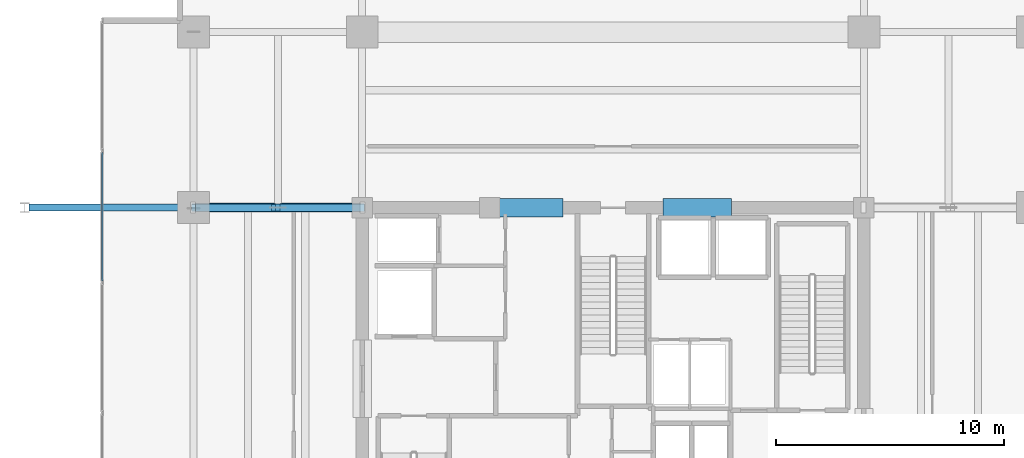
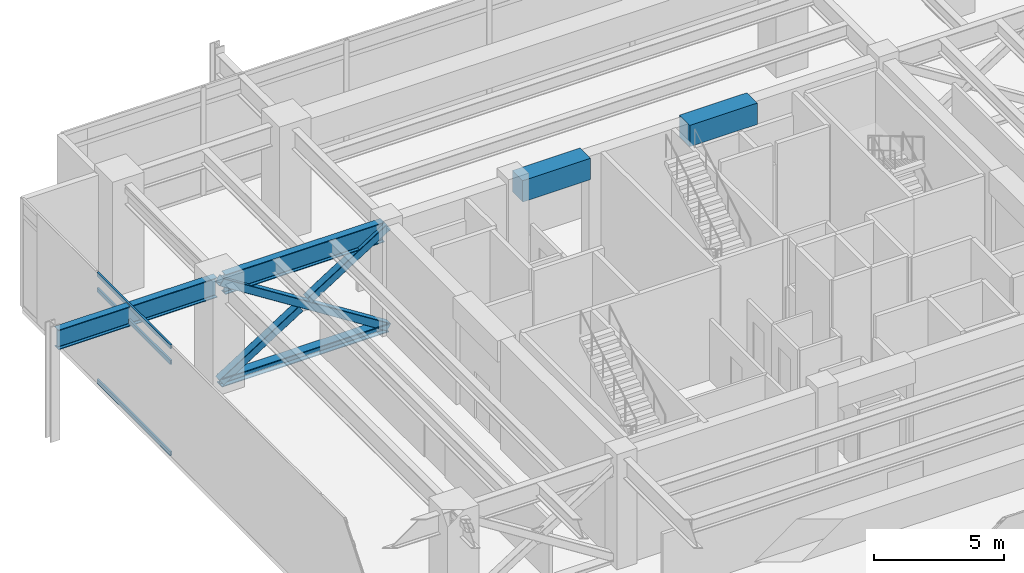
# One storey, part 7 of 21: 7 members, 4 beams, 1 element without a shape of its own.
"""IFC4 building model written with IfcOpenShell, lengths in metres."""

from ifc_helpers import new_model, si_unit, direction, frame, origin, origin_2d, place, context, subcontext, project, spatial, rectangle, hollow_rectangle, i_section, extrude, material, material_profile, profile_set, type_object, element, aggregate, save


model = new_model("IFC4")

# Units and contexts
model_context = context("Model", 3, precision=1e-05, world=origin(), true_north=direction((0.0, 1.0)))
body_context = subcontext(model_context, "Body", "Model", "MODEL_VIEW")
ifc_project = project(units=[si_unit("LENGTHUNIT", "METRE"), si_unit("AREAUNIT", "SQUARE_METRE"), si_unit("VOLUMEUNIT", "CUBIC_METRE"), si_unit("PLANEANGLEUNIT", "RADIAN"), si_unit("MASSUNIT", "GRAM", prefix="KILO")], contexts=[model_context])

# Site, building, storey
site_placement = place(None, origin())
site = spatial("IfcSite", under=ifc_project, at=site_placement, CompositionType="ELEMENT")
building_placement = place(site_placement, origin())
building = spatial("IfcBuilding", under=site, at=building_placement, Name="Kovane Verandah Tower", CompositionType="ELEMENT")
storey_placement = place(building_placement, frame((0.0, 0.0, 189.39990234375)))
storey = spatial("IfcBuildingStorey", under=building, at=storey_placement, Name="L44", CompositionType="ELEMENT", Elevation=189.39990234375)

# Beams
ifc_material_1 = material(Name="Concrete C60/75", Category="concrete")
ifc_material_profile_1 = material_profile(ifc_material_1, rectangle(XDim=0.800048828125, YDim=1.0, at=origin_2d()), Name="RCB800x1000")
ifc_profile_set_1 = profile_set([ifc_material_profile_1], Name="Concrete C60/75")
beam_type_1 = type_object("IfcBeamType", Name="BM-LINTEL-800x1000", PredefinedType="LINTEL", material=ifc_profile_set_1)
for number, where, z_axis, x_axis, name in (
    (1, (34.800048828125, 36.5, 4.60009765625), (1.0, 0.0, 0.0), (0.0, 1.0, 0.0), "L44 Core Coupling Lintel CL-N1"),
    (2, (42.199951171875, 36.5, 4.60009765625), (1.0, 0.0, 0.0), (0.0, 1.0, 0.0), "L44 Core Coupling Lintel CL-N2"),
):
    element("IfcBeam", number, at=place(storey_placement, frame(where, z_axis=z_axis, x_axis=x_axis)), inside=storey, type_object=beam_type_1, Name=name, PredefinedType="LINTEL", context=body_context, shape_type="SweptSolid", body=[
        extrude(rectangle(XDim=0.800048828125, YDim=1.0, at=origin_2d()), origin(), (0.0, 0.0, 1.0), 3.0),
    ])
ifc_material_2 = material(Name="Steel S460", Category="steel")
ifc_material_profile_2 = material_profile(ifc_material_2, i_section(OverallWidth=0.3076171875, OverallDepth=0.926513671875, WebThickness=0.01953125, FlangeThickness=0.031982421875, FilletRadius=0.01904296875, at=origin_2d()), Name="UB914x305x289")
ifc_profile_set_2 = profile_set([ifc_material_profile_2], Name="Steel S460")
beam_type_2 = type_object("IfcBeamType", Name="BM-UB914x289", PredefinedType="BEAM", material=ifc_profile_set_2)
for number, where, z_axis, x_axis, name in (
    (3, (28.820068359375, 36.5, 4.63671875), (-1.0, 0.0, 0.0), (0.0, -1.0, 0.0), "L44 Primary Tower Girder G-W2"),
    (4, (21.419921875, 36.5, 4.63671875), (-1.0, 0.0, 0.0), (0.0, -1.0, 0.0), "L44 Primary Tower Girder G-VW2"),
):
    element("IfcBeam", number, at=place(storey_placement, frame(where, z_axis=z_axis, x_axis=x_axis)), inside=storey, type_object=beam_type_2, Name=name, PredefinedType="BEAM", context=body_context, shape_type="SweptSolid", body=[
        extrude(i_section(OverallWidth=0.3076171875, OverallDepth=0.926513671875, WebThickness=0.01953125, FlangeThickness=0.031982421875, FilletRadius=0.01904296875, at=origin_2d()), origin(), (0.0, 0.0, 1.0), 7.0400390625),
    ])

# Curtain wall, members
ifc_material_3 = material(Name="Champagne Anodised Aluminium Frame with Low-E Clear Laminated Glass", Category="aluminium")
curtain_wall_type = type_object("IfcCurtainWallType", Name="CW-SYS-04-WAIST", PredefinedType="NOTDEFINED", material=ifc_material_3)
curtain_wall_placement = place(storey_placement, origin())
curtain_wall = element("IfcCurtainWall", 5, at=curtain_wall_placement, inside=storey, type_object=curtain_wall_type, Name="L44 W Unitised Curtain Wall", PredefinedType="NOTDEFINED")
ifc_material_4 = material(Name="Champagne Anodised Aluminium 6063-T6", Category="aluminium")
ifc_material_profile_3 = material_profile(ifc_material_4, hollow_rectangle(XDim=0.0849609375, YDim=0.18994140625, WallThickness=0.00390625, at=origin_2d()), Name="AL85x190x4")
ifc_profile_set_3 = profile_set([ifc_material_profile_3], Name="Champagne Anodised Aluminium 6063-T6")
member_type_1 = type_object("IfcMemberType", Name="CW-TRN-85x190", PredefinedType="USERDEFINED", material=ifc_profile_set_3)
member_1_placement = place(storey_placement, frame((17.60009765625, 38.916748046875, 0.050048828125), z_axis=(0.0, -1.0, 0.0), x_axis=(1.0, 0.0, 0.0)))
member_1 = element("IfcMember", 6, at=member_1_placement, type_object=member_type_1, Name="L44 W Unitised Curtain Wall Transom TB Bay 2", ObjectType="TRANSOM", PredefinedType="USERDEFINED", context=body_context, shape_type="SweptSolid", body=[
    extrude(hollow_rectangle(XDim=0.0849609375, YDim=0.18994140625, WallThickness=0.00390625, at=origin_2d()), origin(), (0.0, 0.0, 1.0), 5.633544921875),
])
member_2_placement = place(storey_placement, frame((17.60009765625, 38.916748046875, 4.320068359375), z_axis=(0.0, -1.0, 0.0), x_axis=(1.0, 0.0, 0.0)))
member_2 = element("IfcMember", 7, at=member_2_placement, type_object=member_type_1, Name="L44 W Unitised Curtain Wall Transom TM Bay 2", ObjectType="TRANSOM", PredefinedType="USERDEFINED", context=body_context, shape_type="SweptSolid", body=[
    extrude(hollow_rectangle(XDim=0.0849609375, YDim=0.18994140625, WallThickness=0.00390625, at=origin_2d()), origin(), (0.0, 0.0, 1.0), 5.633544921875),
])
member_3_placement = place(storey_placement, frame((17.60009765625, 38.916748046875, 5.050048828125), z_axis=(0.0, -1.0, 0.0), x_axis=(1.0, 0.0, 0.0)))
member_3 = element("IfcMember", 8, at=member_3_placement, type_object=member_type_1, Name="L44 W Unitised Curtain Wall Transom TT Bay 2", ObjectType="TRANSOM", PredefinedType="USERDEFINED", context=body_context, shape_type="SweptSolid", body=[
    extrude(hollow_rectangle(XDim=0.0849609375, YDim=0.18994140625, WallThickness=0.00390625, at=origin_2d()), origin(), (0.0, 0.0, 1.0), 5.633544921875),
])
aggregate(curtain_wall, [member_1, member_2, member_3])

# Members
ifc_material_profile_4 = material_profile(ifc_material_2, hollow_rectangle(XDim=0.35009765625, YDim=0.35009765625, WallThickness=0.01611328125, InnerFilletRadius=0.01611328125, OuterFilletRadius=0.031982421875, at=origin_2d()), Name="SHS350x350x16")
ifc_profile_set_4 = profile_set([ifc_material_profile_4], Name="Steel S460")
member_type_2 = type_object("IfcMemberType", Name="MEM-BR-SHS350", PredefinedType="BRACE", material=ifc_profile_set_4)
member_4_placement = place(storey_placement, frame((29.0, 36.5, 0.1201171875), z_axis=(-0.844130190712, 0.0, 0.536138248149), x_axis=(0.0, -1.0, 0.0)))
element("IfcMember", 9, at=member_4_placement, inside=storey, type_object=member_type_2, Name="L44 Outrigger Continuous Diagonal OW2", PredefinedType="BRACE", context=body_context, shape_type="SweptSolid", body=[
    extrude(hollow_rectangle(XDim=0.35009765625, YDim=0.35009765625, WallThickness=0.01611328125, InnerFilletRadius=0.01611328125, OuterFilletRadius=0.031982421875, at=origin_2d()), origin(), (0.0, 0.0, 1.0), 8.766357421875),
])
member_5_placement = place(storey_placement, frame((21.60009765625, 36.5, 0.1201171875), z_axis=(0.844134458602, 0.0, 0.536131528452), x_axis=(0.0, 1.0, 0.0)))
element("IfcMember", 10, at=member_5_placement, inside=storey, type_object=member_type_2, Name="L44 Outrigger Split Diagonal Lower OW2", PredefinedType="BRACE", context=body_context, shape_type="SweptSolid", body=[
    extrude(hollow_rectangle(XDim=0.35009765625, YDim=0.35009765625, WallThickness=0.01611328125, InnerFilletRadius=0.01611328125, OuterFilletRadius=0.031982421875, at=origin_2d()), origin(), (0.0, 0.0, 1.0), 4.1630859375),
])
member_6_placement = place(storey_placement, frame((25.485595703125, 36.5, 2.588134765625), z_axis=(0.844151314061, 0.0, 0.536104988756), x_axis=(0.0, 1.0, 0.0)))
element("IfcMember", 11, at=member_6_placement, inside=storey, type_object=member_type_2, Name="L44 Outrigger Split Diagonal Upper OW2", PredefinedType="BRACE", context=body_context, shape_type="SweptSolid", body=[
    extrude(hollow_rectangle(XDim=0.35009765625, YDim=0.35009765625, WallThickness=0.01611328125, InnerFilletRadius=0.01611328125, OuterFilletRadius=0.031982421875, at=origin_2d()), origin(), (0.0, 0.0, 1.0), 4.163330078125),
])
ifc_material_profile_5 = material_profile(ifc_material_2, i_section(OverallWidth=0.39892578125, OverallDepth=0.3935546875, WebThickness=0.022705078125, FlangeThickness=0.03662109375, FilletRadius=0.01513671875, at=origin_2d()), Name="UC356x406x287")
ifc_profile_set_5 = profile_set([ifc_material_profile_5], Name="Steel S460")
member_type_3 = type_object("IfcMemberType", Name="MEM-CHORD-UC287", PredefinedType="CHORD", material=ifc_profile_set_5)
member_7_placement = place(storey_placement, frame((29.0, 36.5, 0.1201171875), z_axis=(-1.0, 0.0, 0.0), x_axis=(0.0, -1.0, 0.0)))
element("IfcMember", 12, at=member_7_placement, inside=storey, type_object=member_type_3, Name="L44 Outrigger Bottom Chord OW2", PredefinedType="CHORD", context=body_context, shape_type="SweptSolid", body=[
    extrude(i_section(OverallWidth=0.39892578125, OverallDepth=0.3935546875, WebThickness=0.022705078125, FlangeThickness=0.03662109375, FilletRadius=0.01513671875, at=origin_2d()), origin(), (0.0, 0.0, 1.0), 7.39990234375),
])

save(model, "model.ifc")
